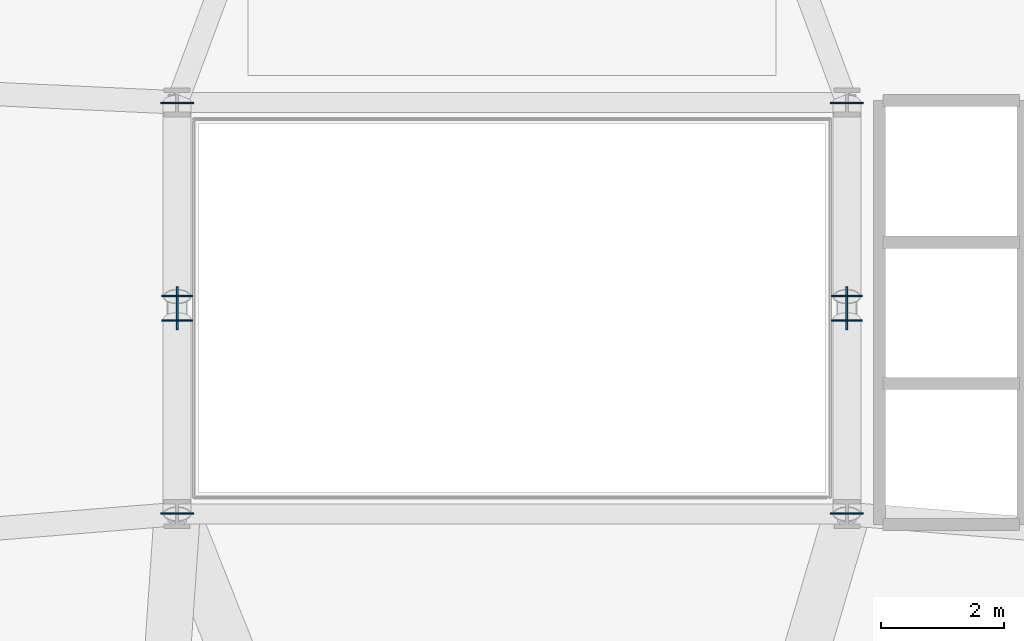
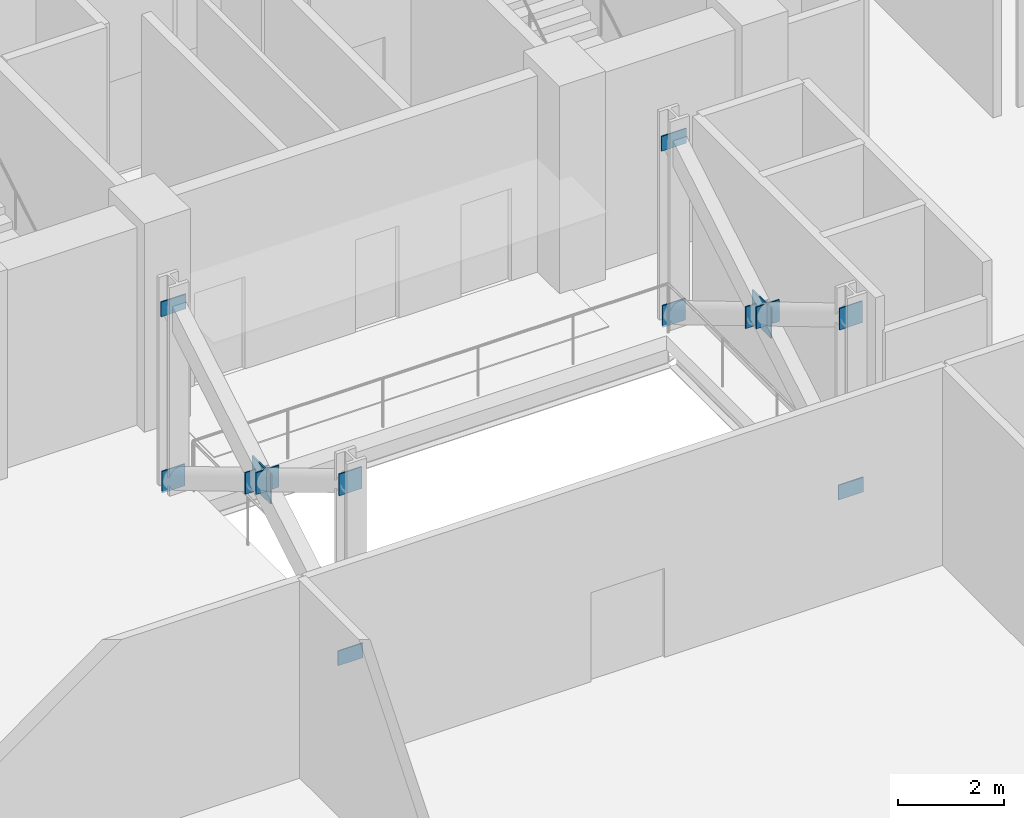
# One storey, part 3 of 11: 14 plates.
"""IFC4 building model written with IfcOpenShell, lengths in metres."""

from ifc_helpers import new_model, si_unit, direction, frame, origin, origin_2d, place, context, subcontext, project, spatial, rectangle, extrude, source, transform, mapped, material, layer, layer_set, type_object, element, save


model = new_model("IFC4")

# Units and contexts
model_context = context("Model", 3, precision=1e-05, world=origin(), true_north=direction((0.0, 1.0)))
body_context = subcontext(model_context, "Body", "Model", "MODEL_VIEW")
ifc_project = project(units=[si_unit("LENGTHUNIT", "METRE"), si_unit("AREAUNIT", "SQUARE_METRE"), si_unit("VOLUMEUNIT", "CUBIC_METRE"), si_unit("PLANEANGLEUNIT", "RADIAN"), si_unit("MASSUNIT", "GRAM", prefix="KILO")], contexts=[model_context])

# Site, building, storey
site_placement = place(None, origin())
site = spatial("IfcSite", under=ifc_project, at=site_placement, CompositionType="ELEMENT")
building_placement = place(site_placement, origin())
building = spatial("IfcBuilding", under=site, at=building_placement, Name="Varnelok Gate Tower", CompositionType="ELEMENT")
storey_placement = place(building_placement, frame((0.0, 0.0, 71.39990234375)))
storey = spatial("IfcBuildingStorey", under=building, at=storey_placement, Name="L17", CompositionType="ELEMENT", Elevation=71.39990234375)

# Plates
ifc_material = material(Name="Structural Steel ASTM A572 Grade 50", Category="steel")
ifc_layer_1 = layer(ifc_material, 0.02490234375)
ifc_layer_set_1 = layer_set([ifc_layer_1], Name="Structural Steel ASTM A572 Grade 50")
plate_type_1 = type_object("IfcPlateType", Name="PLT-ENDCAP-25", PredefinedType="SHEET", material=ifc_layer_set_1)
shared_shape_1 = source(origin(), body_context, "Body", "SweptSolid", [
    extrude(rectangle(XDim=0.02490234375, YDim=0.5400390625, at=origin_2d()), origin(), (0.0, 0.0, 1.0), 0.340087890625),
])
for number, where, z_axis, x_axis, name in (
    (1, (33.75, 19.561767578125, 0.037109375), (0.0, 0.0, 1.0), (0.0, 1.0, 0.0), "L17 hollow member sealed end plate 1"),
    (2, (33.75, 26.23828125, 4.02294921875), (0.0, 0.0, 1.0), (0.0, 1.0, 0.0), "L17 hollow member sealed end plate 2"),
    (3, (44.64990234375, 19.561767578125, 0.037109375), (0.0, 0.0, 1.0), (0.0, 1.0, 0.0), "L17 hollow member sealed end plate 1"),
    (4, (44.64990234375, 26.23828125, 4.02294921875), (0.0, 0.0, 1.0), (0.0, 1.0, 0.0), "L17 hollow member sealed end plate 2"),
):
    element("IfcPlate", number, at=place(storey_placement, frame(where, z_axis=z_axis, x_axis=x_axis)), inside=storey, type_object=plate_type_1, Name=name, PredefinedType="SHEET", context=body_context, shape_type="MappedRepresentation", body=[
        mapped(shared_shape_1, transform((0.0, 0.0, 0.0), scale=1.0)),
    ])
ifc_layer_2 = layer(ifc_material, 0.031982421875)
ifc_layer_set_2 = layer_set([ifc_layer_2], Name="Structural Steel ASTM A572 Grade 50")
plate_type_2 = type_object("IfcPlateType", Name="PLT-GUSSET-32", PredefinedType="USERDEFINED", material=ifc_layer_set_2)
shared_shape_2 = source(origin(), body_context, "Body", "SweptSolid", [
    extrude(rectangle(XDim=0.699951171875, YDim=0.031982421875, at=origin_2d()), origin(), (0.0, 0.0, 1.0), 0.699951171875),
])
for number, where, z_axis, x_axis, name in (
    (5, (33.75, 22.89990234375, 1.85009765625), (0.0, 0.0, 1.0), (0.0, -1.0, 0.0), "L17 Outrigger X-Brace Gusset Plate XN-1"),
    (6, (44.64990234375, 22.89990234375, 1.85009765625), (0.0, 0.0, 1.0), (0.0, -1.0, 0.0), "L17 Outrigger X-Brace Gusset Plate XN-2"),
):
    element("IfcPlate", number, at=place(storey_placement, frame(where, z_axis=z_axis, x_axis=x_axis)), inside=storey, type_object=plate_type_2, Name=name, ObjectType="GUSSET PLATE", PredefinedType="USERDEFINED", context=body_context, shape_type="MappedRepresentation", body=[
        mapped(shared_shape_2, transform((0.0, 0.0, 0.0), scale=1.0)),
    ])
shared_shape_3 = source(origin(), body_context, "Body", "SweptSolid", [
    extrude(rectangle(XDim=0.02490234375, YDim=0.5, at=origin_2d()), origin(), (0.0, 0.0, 1.0), 0.5),
])
for number, where, z_axis, x_axis, name in (
    (7, (33.75, 26.23828125, -0.04296875), (0.0, 0.0, 1.0), (0.0, -1.0, 0.0), "L17 hollow member sealed end plate 1"),
    (8, (33.75, 23.1005859375, 1.830322265625), (0.0, 0.0, 1.0), (0.0, -1.0, 0.0), "L17 hollow member sealed end plate 2"),
    (9, (33.75, 22.69921875, 2.06982421875), (0.0, 0.0, 1.0), (0.0, -1.0, 0.0), "L17 hollow member sealed end plate 1"),
    (10, (33.75, 19.561767578125, 3.943115234375), (0.0, 0.0, 1.0), (0.0, -1.0, 0.0), "L17 hollow member sealed end plate 2"),
    (11, (44.64990234375, 26.23828125, -0.04296875), (0.0, 0.0, 1.0), (0.0, -1.0, 0.0), "L17 hollow member sealed end plate 1"),
    (12, (44.64990234375, 23.1005859375, 1.830322265625), (0.0, 0.0, 1.0), (0.0, -1.0, 0.0), "L17 hollow member sealed end plate 2"),
    (13, (44.64990234375, 22.69921875, 2.06982421875), (0.0, 0.0, 1.0), (0.0, -1.0, 0.0), "L17 hollow member sealed end plate 1"),
    (14, (44.64990234375, 19.561767578125, 3.943115234375), (0.0, 0.0, 1.0), (0.0, -1.0, 0.0), "L17 hollow member sealed end plate 2"),
):
    element("IfcPlate", number, at=place(storey_placement, frame(where, z_axis=z_axis, x_axis=x_axis)), inside=storey, type_object=plate_type_1, Name=name, PredefinedType="SHEET", context=body_context, shape_type="MappedRepresentation", body=[
        mapped(shared_shape_3, transform((0.0, 0.0, 0.0), scale=1.0)),
    ])

save(model, "model.ifc")
